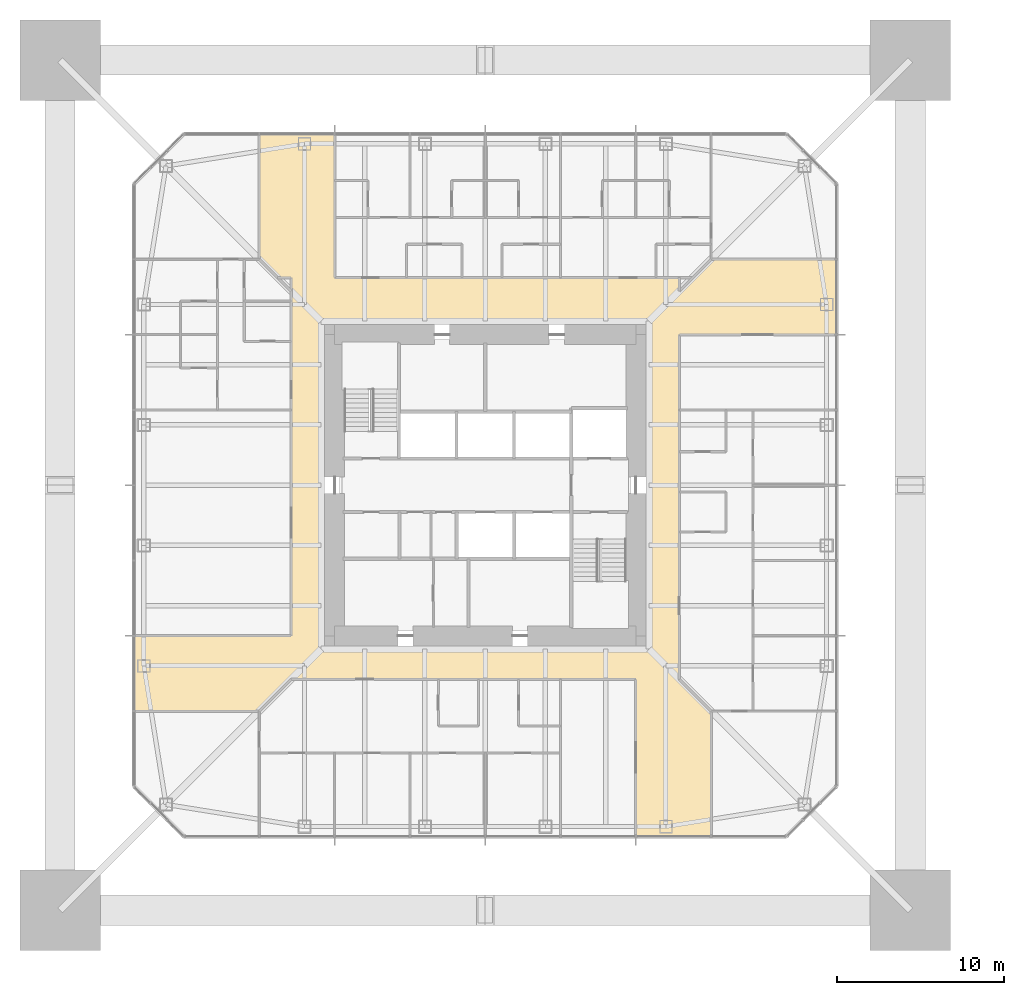
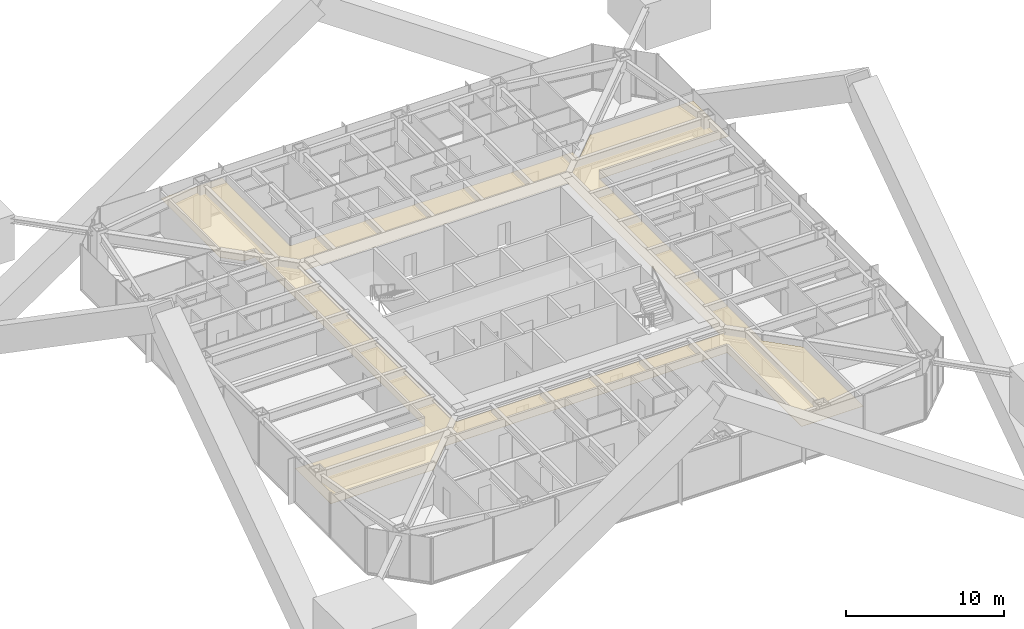
# One storey, part 23 of 26: 1 covering.
"""IFC4 building model written with IfcOpenShell, lengths in metres."""

from ifc_helpers import new_model, si_unit, direction, frame, origin, place, context, subcontext, project, spatial, polyline, outline, extrude, material, layer, layer_set, type_object, element, save


model = new_model("IFC4")

# Units and contexts
model_context = context("Model", 3, precision=1e-05, world=origin(), true_north=direction((0.0, 1.0)))
body_context = subcontext(model_context, "Body", "Model", "MODEL_VIEW")
ifc_project = project(units=[si_unit("LENGTHUNIT", "METRE"), si_unit("AREAUNIT", "SQUARE_METRE"), si_unit("VOLUMEUNIT", "CUBIC_METRE"), si_unit("PLANEANGLEUNIT", "RADIAN"), si_unit("MASSUNIT", "GRAM", prefix="KILO")], contexts=[model_context])

# Site, building, storey
site_placement = place(None, origin())
site = spatial("IfcSite", under=ifc_project, at=site_placement, CompositionType="ELEMENT")
building_placement = place(site_placement, origin())
building = spatial("IfcBuilding", under=site, at=building_placement, Name="Iwan Alto Co-Living Towers", CompositionType="ELEMENT")
storey_placement = place(building_placement, frame((0.0, 0.0, 115.5)))
storey = spatial("IfcBuildingStorey", under=building, at=storey_placement, Name="L31", CompositionType="ELEMENT", Elevation=115.5)

# Covering
ifc_material = material(Name="Gypsum plasterboard on steel grid", Category="steel")
ifc_layer = layer(ifc_material, 0.014892578125)
ifc_layer_set = layer_set([ifc_layer], Name="SUSPENDED PLASTERBOARD CEILING 15")
covering_type = type_object("IfcCoveringType", Name="SUSPENDED PLASTERBOARD CEILING 15", PredefinedType="CEILING", material=ifc_layer_set)
covering_placement = place(storey_placement, frame((0.0, 0.0, 2.60009765625)))
element("IfcCovering", 1, at=covering_placement, inside=storey, type_object=covering_type, Name="Ceiling Corridor L31", PredefinedType="CEILING", context=body_context, shape_type="SweptSolid", body=[
    extrude(outline(polyline([(13.5, -21.0), (9.0, -21.0), (9.0, -11.60009765625), (-11.60009765625, -11.60009765625), (-13.5, -13.5), (-21.0, -13.5), (-21.0, -9.0), (-11.60009765625, -9.0), (-11.60009765625, 12.39990234375), (-12.39990234375, 12.39990234375), (-13.5, 13.5), (-13.5, 21.0), (-9.0, 21.0), (-9.0, 12.39990234375), (11.60009765625, 12.39990234375), (11.60009765625, 11.60009765625), (13.5, 13.5), (21.0, 13.5), (21.0, 9.0), (11.60009765625, 9.0), (11.60009765625, -11.60009765625), (13.5, -13.5), (13.5, -21.0)]), holes=[polyline([(9.60009765625, -9.60009765625), (9.60009765625, 9.60009765625), (-9.60009765625, 9.60009765625), (-9.60009765625, -9.60009765625), (9.60009765625, -9.60009765625)])]), origin(), (0.0, 0.0, 1.0), 0.014892578125),
])

save(model, "model.ifc")
